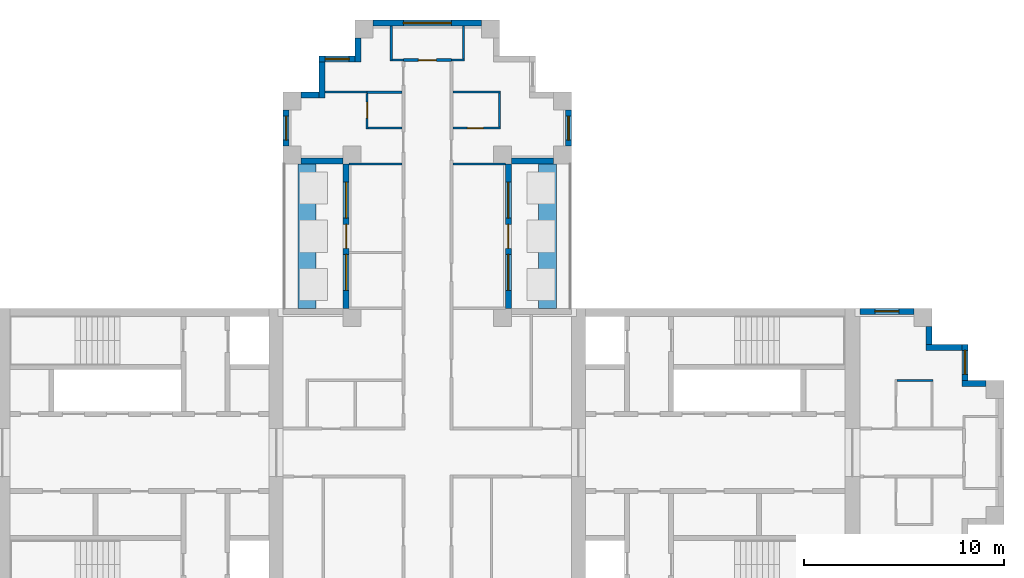
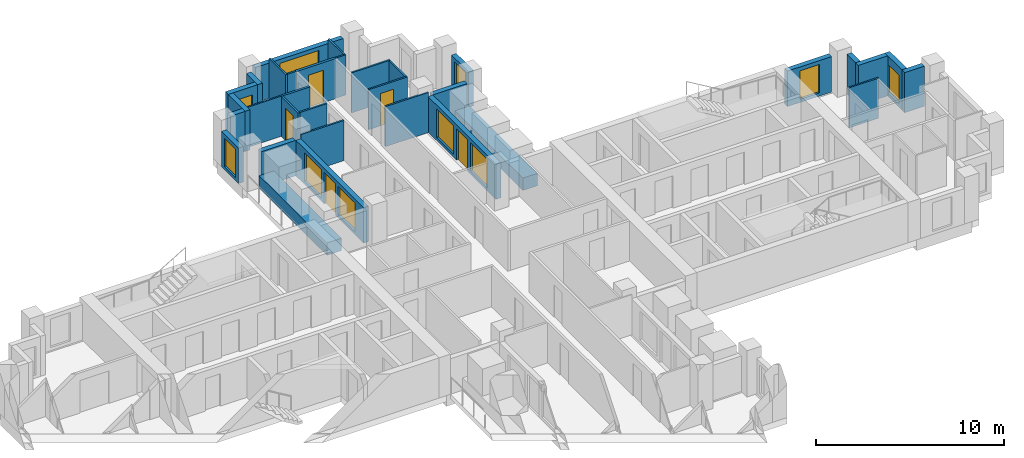
# One storey, part 7 of 10: 33 walls, 10 windows, 5 doors, 15 openings.
"""IFC4 building model written with IfcOpenShell, lengths in metres."""

from ifc_helpers import new_model, si_unit, direction, frame, frame_2d, origin, place, context, subcontext, project, spatial, rectangle, extrude, material, layer, layer_set, type_object, element, fill, save


model = new_model("IFC4")

# Units and contexts
model_context = context("Model", 3, precision=1e-05, world=origin(), true_north=direction((0.0, 1.0)))
body_context = subcontext(model_context, "Body", "Model", "MODEL_VIEW")
ifc_project = project(units=[si_unit("LENGTHUNIT", "METRE"), si_unit("AREAUNIT", "SQUARE_METRE"), si_unit("VOLUMEUNIT", "CUBIC_METRE"), si_unit("PLANEANGLEUNIT", "RADIAN"), si_unit("MASSUNIT", "GRAM", prefix="KILO")], contexts=[model_context])

# Site, building, storey
site_placement = place(None, origin())
site = spatial("IfcSite", under=ifc_project, at=site_placement, CompositionType="ELEMENT")
building_placement = place(site_placement, origin())
building = spatial("IfcBuilding", under=site, at=building_placement, Name="Fustian Cross Tower", CompositionType="ELEMENT")
storey_placement = place(building_placement, frame((0.0, 0.0, 228.89990234375)))
storey = spatial("IfcBuildingStorey", under=building, at=storey_placement, Name="L72", CompositionType="ELEMENT", Elevation=228.89990234375)

# Wall, opening, door
ifc_material_1 = material(Name="Plasterboard on steel stud", Category="steel")
ifc_layer_1 = layer(ifc_material_1, 0.14990234375)
ifc_layer_set_1 = layer_set([ifc_layer_1], Name="Plasterboard on steel stud")
wall_type_1 = type_object("IfcWallType", Name="COMPARTMENT WALL 150 EI 60", PredefinedType="PARTITIONING", material=ifc_layer_set_1)
wall_1_placement = place(storey_placement, frame((-1.199951171875, 19.60009765625, 0.0), z_axis=(0.0, 0.0, 1.0), x_axis=(1.0, 0.0, 0.0)))
wall_1 = element("IfcWall", 1, at=wall_1_placement, inside=storey, type_object=wall_type_1, Name="Partition 38", PredefinedType="PARTITIONING", context=body_context, shape_type="SweptSolid", body=[
    extrude(rectangle(XDim=2.39990234375, YDim=0.14990234375, at=frame_2d((1.199951171875, 0.0))), origin(), (0.0, 0.0, 1.0), 2.60009765625),
])
opening_1_placement = place(wall_1_placement, frame((0.75, 0.0, 0.0)))
opening_1 = element("IfcOpeningElement", 2, at=opening_1_placement, cuts=wall_1, Name="Opening D32015", PredefinedType="OPENING", context=body_context, shape_type="SweptSolid", body=[
    extrude(rectangle(XDim=0.89990234375, YDim=2.10009765625, at=frame_2d((0.449951171875, 1.050048828125))), frame((0.0, 0.0849609375, 0.0), z_axis=(0.0, -1.0, 0.0), x_axis=(1.0, 0.0, 0.0)), (0.0, 0.0, 1.0), 0.169921875),
])
ifc_material_2 = material(Name="Timber fire door set", Category="wood")
door_type_1 = type_object("IfcDoorType", Name="FIRE SWING DOOR 900 FD30S", OperationType="SINGLE_SWING_LEFT", PredefinedType="DOOR", material=ifc_material_2)
door_1_placement = place(opening_1_placement, origin())
door_1 = element("IfcDoor", 3, at=door_1_placement, inside=storey, type_object=door_type_1, Name="Door D32015", OperationType="SINGLE_SWING_LEFT", OverallHeight=2.10009765625, OverallWidth=0.89990234375, PredefinedType="DOOR", context=body_context, shape_type="SweptSolid", body=[
    extrude(rectangle(XDim=0.89990234375, YDim=2.10009765625, at=frame_2d((0.449951171875, 1.050048828125))), frame((0.0, 0.02490234375, 0.0), z_axis=(0.0, -1.0, 0.0), x_axis=(1.0, 0.0, 0.0)), (0.0, 0.0, 1.0), 0.050048828125),
])
fill(opening_1, door_1)

# Walls
ifc_material_3 = material(Name="Plasterboard on steel stud", Category="steel")
ifc_layer_2 = layer(ifc_material_3, 0.10009765625)
ifc_layer_set_2 = layer_set([ifc_layer_2], Name="Plasterboard on steel stud")
wall_type_2 = type_object("IfcWallType", Name="PARTITION 100 STUD", PredefinedType="PARTITIONING", material=ifc_layer_set_2)
wall_2_placement = place(storey_placement, frame((-5.10009765625, 18.0, 0.0), z_axis=(0.0, 0.0, 1.0), x_axis=(1.0, 0.0, 0.0)))
element("IfcWall", 4, at=wall_2_placement, inside=storey, type_object=wall_type_2, Name="Partition 18", PredefinedType="PARTITIONING", context=body_context, shape_type="SweptSolid", body=[
    extrude(rectangle(XDim=2.10009765625, YDim=0.10009765625, at=frame_2d((1.050048828125, 0.0))), origin(), (0.0, 0.0, 1.0), 2.60009765625),
])
wall_3_placement = place(storey_placement, frame((-3.89990234375, 14.39990234375, 0.0), z_axis=(0.0, 0.0, 1.0), x_axis=(1.0, 0.0, 0.0)))
element("IfcWall", 5, at=wall_3_placement, inside=storey, type_object=wall_type_2, Name="Partition 23", PredefinedType="PARTITIONING", context=body_context, shape_type="SweptSolid", body=[
    extrude(rectangle(XDim=2.625, YDim=0.10009765625, at=frame_2d((1.3125, 0.0))), origin(), (0.0, 0.0, 1.0), 2.60009765625),
])

# Wall, opening, door
wall_4_placement = place(storey_placement, frame((-3.0, 16.14990234375, 0.0), z_axis=(0.0, 0.0, 1.0), x_axis=(0.0, 1.0, 0.0)))
wall_4 = element("IfcWall", 6, at=wall_4_placement, inside=storey, type_object=wall_type_2, Name="Partition 28", PredefinedType="PARTITIONING", context=body_context, shape_type="SweptSolid", body=[
    extrude(rectangle(XDim=1.78759765625, YDim=0.10009765625, at=frame_2d((0.893798828125, 0.0))), origin(), (0.0, 0.0, 1.0), 2.60009765625),
])
opening_2_placement = place(wall_4_placement, frame((0.550048828125, 0.0, 0.0)))
opening_2 = element("IfcOpeningElement", 7, at=opening_2_placement, cuts=wall_4, Name="Opening D32018", PredefinedType="OPENING", context=body_context, shape_type="SweptSolid", body=[
    extrude(rectangle(XDim=0.800048828125, YDim=2.10009765625, at=frame_2d((0.39990234375, 1.050048828125))), frame((0.0, 0.06005859375, 0.0), z_axis=(0.0, -1.0, 0.0), x_axis=(1.0, 0.0, 0.0)), (0.0, 0.0, 1.0), 0.1201171875),
])
ifc_material_4 = material(Name="Painted timber", Category="wood")
door_type_2 = type_object("IfcDoorType", Name="SWING DOOR 800", OperationType="SINGLE_SWING_LEFT", PredefinedType="DOOR", material=ifc_material_4)
door_2_placement = place(opening_2_placement, frame((0.800048828125, 0.0, 0.0), z_axis=(0.0, 0.0, 1.0), x_axis=(-1.0, 0.0, 0.0)))
door_2 = element("IfcDoor", 8, at=door_2_placement, inside=storey, type_object=door_type_2, Name="Door D32018", OperationType="SINGLE_SWING_LEFT", OverallHeight=2.10009765625, OverallWidth=0.800048828125, PredefinedType="DOOR", context=body_context, shape_type="SweptSolid", body=[
    extrude(rectangle(XDim=0.800048828125, YDim=2.10009765625, at=frame_2d((0.39990234375, 1.050048828125))), frame((0.0, 0.02490234375, 0.0), z_axis=(0.0, -1.0, 0.0), x_axis=(1.0, 0.0, 0.0)), (0.0, 0.0, 1.0), 0.050048828125),
])
fill(opening_2, door_2)

# Walls
wall_5_placement = place(storey_placement, frame((-2.949951171875, 16.199951171875, 0.0), z_axis=(0.0, 0.0, 1.0), x_axis=(1.0, 0.0, 0.0)))
element("IfcWall", 9, at=wall_5_placement, inside=storey, type_object=wall_type_2, Name="Partition 29", PredefinedType="PARTITIONING", context=body_context, shape_type="SweptSolid", body=[
    extrude(rectangle(XDim=1.675048828125, YDim=0.10009765625, at=frame_2d((0.83740234375, 0.0))), origin(), (0.0, 0.0, 1.0), 2.60009765625),
])
wall_6_placement = place(storey_placement, frame((-1.800048828125, 19.550048828125, 0.0), z_axis=(0.0, 0.0, 1.0), x_axis=(0.0, 1.0, 0.0)))
element("IfcWall", 10, at=wall_6_placement, inside=storey, type_object=wall_type_2, Name="Partition 33", PredefinedType="PARTITIONING", context=body_context, shape_type="SweptSolid", body=[
    extrude(rectangle(XDim=1.75, YDim=0.10009765625, at=frame_2d((0.875, 0.0))), origin(), (0.0, 0.0, 1.0), 2.60009765625),
])
wall_7_placement = place(storey_placement, frame((-1.75, 19.60009765625, 0.0), z_axis=(0.0, 0.0, 1.0), x_axis=(1.0, 0.0, 0.0)))
element("IfcWall", 11, at=wall_7_placement, inside=storey, type_object=wall_type_2, Name="Partition 34", PredefinedType="PARTITIONING", context=body_context, shape_type="SweptSolid", body=[
    extrude(rectangle(XDim=0.550048828125, YDim=0.10009765625, at=frame_2d((0.27490234375, 0.0))), origin(), (0.0, 0.0, 1.0), 2.60009765625),
])
wall_8_placement = place(storey_placement, frame((1.27490234375, 14.39990234375, 0.0), z_axis=(0.0, 0.0, 1.0), x_axis=(1.0, 0.0, 0.0)))
element("IfcWall", 12, at=wall_8_placement, inside=storey, type_object=wall_type_2, Name="Partition 49", PredefinedType="PARTITIONING", context=body_context, shape_type="SweptSolid", body=[
    extrude(rectangle(XDim=2.625, YDim=0.10009765625, at=frame_2d((1.3125, 0.0))), origin(), (0.0, 0.0, 1.0), 2.60009765625),
])

# Wall, opening, door
wall_9_placement = place(storey_placement, frame((1.27490234375, 16.199951171875, 0.0), z_axis=(0.0, 0.0, 1.0), x_axis=(1.0, 0.0, 0.0)))
wall_9 = element("IfcWall", 13, at=wall_9_placement, inside=storey, type_object=wall_type_2, Name="Partition 50", PredefinedType="PARTITIONING", context=body_context, shape_type="SweptSolid", body=[
    extrude(rectangle(XDim=2.375, YDim=0.10009765625, at=frame_2d((1.1875, 0.0))), origin(), (0.0, 0.0, 1.0), 2.60009765625),
])
opening_3_placement = place(wall_9_placement, frame((0.72509765625, 0.0, 0.0)))
opening_3 = element("IfcOpeningElement", 14, at=opening_3_placement, cuts=wall_9, Name="Opening D32022", PredefinedType="OPENING", context=body_context, shape_type="SweptSolid", body=[
    extrude(rectangle(XDim=0.800048828125, YDim=2.10009765625, at=frame_2d((0.39990234375, 1.050048828125))), frame((0.0, 0.06005859375, 0.0), z_axis=(0.0, -1.0, 0.0), x_axis=(1.0, 0.0, 0.0)), (0.0, 0.0, 1.0), 0.1201171875),
])
door_3_placement = place(opening_3_placement, origin())
door_3 = element("IfcDoor", 15, at=door_3_placement, inside=storey, type_object=door_type_2, Name="Door D32022", OperationType="SINGLE_SWING_LEFT", OverallHeight=2.10009765625, OverallWidth=0.800048828125, PredefinedType="DOOR", context=body_context, shape_type="SweptSolid", body=[
    extrude(rectangle(XDim=0.800048828125, YDim=2.10009765625, at=frame_2d((0.39990234375, 1.050048828125))), frame((0.0, 0.02490234375, 0.0), z_axis=(0.0, -1.0, 0.0), x_axis=(1.0, 0.0, 0.0)), (0.0, 0.0, 1.0), 0.050048828125),
])
fill(opening_3, door_3)

# Walls
wall_10_placement = place(storey_placement, frame((1.27490234375, 18.0, 0.0), z_axis=(0.0, 0.0, 1.0), x_axis=(1.0, 0.0, 0.0)))
element("IfcWall", 16, at=wall_10_placement, inside=storey, type_object=wall_type_2, Name="Partition 51", PredefinedType="PARTITIONING", context=body_context, shape_type="SweptSolid", body=[
    extrude(rectangle(XDim=2.375, YDim=0.10009765625, at=frame_2d((1.1875, 0.0))), origin(), (0.0, 0.0, 1.0), 2.60009765625),
])
wall_11_placement = place(storey_placement, frame((1.199951171875, 19.60009765625, 0.0), z_axis=(0.0, 0.0, 1.0), x_axis=(1.0, 0.0, 0.0)))
element("IfcWall", 17, at=wall_11_placement, inside=storey, type_object=wall_type_2, Name="Partition 52", PredefinedType="PARTITIONING", context=body_context, shape_type="SweptSolid", body=[
    extrude(rectangle(XDim=0.650146484375, YDim=0.10009765625, at=frame_2d((0.3251953125, 0.0))), origin(), (0.0, 0.0, 1.0), 2.60009765625),
])
wall_12_placement = place(storey_placement, frame((1.800048828125, 19.64990234375, 0.0), z_axis=(0.0, 0.0, 1.0), x_axis=(0.0, 1.0, 0.0)))
element("IfcWall", 18, at=wall_12_placement, inside=storey, type_object=wall_type_2, Name="Partition 54", PredefinedType="PARTITIONING", context=body_context, shape_type="SweptSolid", body=[
    extrude(rectangle(XDim=1.650146484375, YDim=0.10009765625, at=frame_2d((0.8251953125, 0.0))), origin(), (0.0, 0.0, 1.0), 2.60009765625),
])
wall_13_placement = place(storey_placement, frame((3.60009765625, 16.25, 0.0), z_axis=(0.0, 0.0, 1.0), x_axis=(0.0, 1.0, 0.0)))
element("IfcWall", 19, at=wall_13_placement, inside=storey, type_object=wall_type_2, Name="Partition 58", PredefinedType="PARTITIONING", context=body_context, shape_type="SweptSolid", body=[
    extrude(rectangle(XDim=1.699951171875, YDim=0.10009765625, at=frame_2d((0.85009765625, 0.0))), origin(), (0.0, 0.0, 1.0), 2.60009765625),
])
wall_14_placement = place(storey_placement, frame((23.449951171875, 3.60009765625, 0.0), z_axis=(0.0, 0.0, 1.0), x_axis=(1.0, 0.0, 0.0)))
element("IfcWall", 20, at=wall_14_placement, inside=storey, type_object=wall_type_2, Name="Partition 65", PredefinedType="PARTITIONING", context=body_context, shape_type="SweptSolid", body=[
    extrude(rectangle(XDim=1.800048828125, YDim=0.10009765625, at=frame_2d((0.89990234375, 0.0))), origin(), (0.0, 0.0, 1.0), 2.60009765625),
])
ifc_material_5 = material(Name="Concrete C40/50", Category="concrete")
ifc_layer_3 = layer(ifc_material_5, 0.89990234375)
ifc_layer_set_3 = layer_set([ifc_layer_3], Name="Concrete C40/50")
wall_type_3 = type_object("IfcWallType", Name="PK1 PLANTER 900", PredefinedType="PARAPET", material=ifc_layer_set_3)
for number, where, z_axis, x_axis, name in (
    (21, (6.0, 7.199951171875, 0.0), (0.0, 0.0, 1.0), (0.0, 1.0, 0.0), "PLANTER"),
    (22, (-6.0, 7.199951171875, 0.0), (0.0, 0.0, 1.0), (0.0, 1.0, 0.0), "PLANTER"),
):
    element("IfcWall", number, at=place(storey_placement, frame(where, z_axis=z_axis, x_axis=x_axis)), inside=storey, type_object=wall_type_3, Name=name, PredefinedType="PARAPET", context=body_context, shape_type="SweptSolid", body=[
        extrude(rectangle(XDim=7.199951171875, YDim=0.89990234375, at=frame_2d((3.60009765625, 0.0))), origin(), (0.0, 0.0, 1.0), 0.800048828125),
    ])
ifc_material_6 = material(Name="Plasterboard on steel stud", Category="steel")
ifc_layer_4 = layer(ifc_material_6, 0.125)
ifc_layer_set_4 = layer_set([ifc_layer_4], Name="Plasterboard on steel stud")
wall_type_4 = type_object("IfcWallType", Name="WET WALL 125 STUD", PredefinedType="PARTITIONING", material=ifc_layer_set_4)
wall_15_placement = place(storey_placement, frame((-3.0, 18.0, 0.0), z_axis=(0.0, 0.0, 1.0), x_axis=(1.0, 0.0, 0.0)))
element("IfcWall", 23, at=wall_15_placement, inside=storey, type_object=wall_type_4, Name="Partition 30", PredefinedType="PARTITIONING", context=body_context, shape_type="SweptSolid", body=[
    extrude(rectangle(XDim=1.72509765625, YDim=0.125, at=frame_2d((0.862548828125, 0.0))), origin(), (0.0, 0.0, 1.0), 2.60009765625),
])
ifc_material_7 = material(Name="Dark aluminium cladding on insulated backing wall", Category="aluminium")
ifc_layer_5 = layer(ifc_material_7, 0.300048828125)
ifc_layer_set_5 = layer_set([ifc_layer_5], Name="Dark aluminium cladding on insulated backing wall")
wall_type_5 = type_object("IfcWallType", Name="XW1 EXTERNAL WALL 300", PredefinedType="SOLIDWALL", material=ifc_layer_set_5)
wall_16_placement = place(storey_placement, frame((27.89990234375, 3.449951171875, 0.0), z_axis=(0.0, 0.0, 1.0), x_axis=(-1.0, 0.0, 0.0)))
element("IfcWall", 24, at=wall_16_placement, inside=storey, type_object=wall_type_5, Name="External wall", PredefinedType="SOLIDWALL", context=body_context, shape_type="SweptSolid", body=[
    extrude(rectangle(XDim=1.199951171875, YDim=0.300048828125, at=frame_2d((0.60009765625, 0.0))), origin(), (0.0, 0.0, 1.0), 2.60009765625),
])

# Wall, opening, window
wall_17_placement = place(storey_placement, frame((26.85009765625, 3.60009765625, 0.0), z_axis=(0.0, 0.0, 1.0), x_axis=(0.0, 1.0, 0.0)))
wall_17 = element("IfcWall", 25, at=wall_17_placement, inside=storey, type_object=wall_type_5, Name="External wall", PredefinedType="SOLIDWALL", context=body_context, shape_type="SweptSolid", body=[
    extrude(rectangle(XDim=1.7998046875, YDim=0.300048828125, at=frame_2d((0.89990234375, 0.0))), origin(), (0.0, 0.0, 1.0), 2.60009765625),
])
opening_4_placement = place(wall_17_placement, frame((0.300048828125, 0.0, 0.199951171875)))
opening_4 = element("IfcOpeningElement", 26, at=opening_4_placement, cuts=wall_17, Name="Opening WN3", PredefinedType="OPENING", context=body_context, shape_type="SweptSolid", body=[
    extrude(rectangle(XDim=1.199951171875, YDim=1.85009765625, at=frame_2d((0.60009765625, 0.925048828125))), frame((0.0, 0.159912109375, 0.0), z_axis=(0.0, -1.0, 0.0), x_axis=(1.0, 0.0, 0.0)), (0.0, 0.0, 1.0), 0.320068359375),
])
ifc_material_8 = material(Name="Dark anodised aluminium and double glazing", Category="aluminium")
window_type_1 = type_object("IfcWindowType", Name="WN3 WINDOW 1200X1850", PartitioningType="SINGLE_PANEL", PredefinedType="WINDOW", material=ifc_material_8)
window_1_placement = place(opening_4_placement, origin())
window_1 = element("IfcWindow", 27, at=window_1_placement, inside=storey, type_object=window_type_1, Name="Window", OverallHeight=1.85009765625, OverallWidth=1.199951171875, PartitioningType="SINGLE_PANEL", PredefinedType="WINDOW", context=body_context, shape_type="SweptSolid", body=[
    extrude(rectangle(XDim=1.199951171875, YDim=1.85009765625, at=frame_2d((0.60009765625, 0.925048828125))), frame((0.0, 0.030029296875, 0.0), z_axis=(0.0, -1.0, 0.0), x_axis=(1.0, 0.0, 0.0)), (0.0, 0.0, 1.0), 0.06005859375),
])
fill(opening_4, window_1)

# Walls
wall_18_placement = place(storey_placement, frame((26.699951171875, 5.25, 0.0), z_axis=(0.0, 0.0, 1.0), x_axis=(-1.0, 0.0, 0.0)))
element("IfcWall", 28, at=wall_18_placement, inside=storey, type_object=wall_type_5, Name="External wall", PredefinedType="SOLIDWALL", context=body_context, shape_type="SweptSolid", body=[
    extrude(rectangle(XDim=1.800048828125, YDim=0.300048828125, at=frame_2d((0.89990234375, 0.0))), origin(), (0.0, 0.0, 1.0), 2.60009765625),
])
wall_19_placement = place(storey_placement, frame((25.050048828125, 5.39990234375, 0.0), z_axis=(0.0, 0.0, 1.0), x_axis=(0.0, 1.0, 0.0)))
element("IfcWall", 29, at=wall_19_placement, inside=storey, type_object=wall_type_5, Name="External wall", PredefinedType="SOLIDWALL", context=body_context, shape_type="SweptSolid", body=[
    extrude(rectangle(XDim=0.900146484375, YDim=0.300048828125, at=frame_2d((0.4501953125, 0.0))), origin(), (0.0, 0.0, 1.0), 2.60009765625),
])

# Wall, opening, window
wall_20_placement = place(storey_placement, frame((24.300048828125, 7.050048828125, 0.0), z_axis=(0.0, 0.0, 1.0), x_axis=(-1.0, 0.0, 0.0)))
wall_20 = element("IfcWall", 30, at=wall_20_placement, inside=storey, type_object=wall_type_5, Name="External wall", PredefinedType="SOLIDWALL", context=body_context, shape_type="SweptSolid", body=[
    extrude(rectangle(XDim=2.699951171875, YDim=0.300048828125, at=frame_2d((1.35009765625, 0.0))), origin(), (0.0, 0.0, 1.0), 2.300048828125),
])
opening_5_placement = place(wall_20_placement, frame((0.75, 0.0, 0.199951171875)))
opening_5 = element("IfcOpeningElement", 31, at=opening_5_placement, cuts=wall_20, Name="Opening WN3", PredefinedType="OPENING", context=body_context, shape_type="SweptSolid", body=[
    extrude(rectangle(XDim=1.199951171875, YDim=1.85009765625, at=frame_2d((0.60009765625, 0.925048828125))), frame((0.0, 0.159912109375, 0.0), z_axis=(0.0, -1.0, 0.0), x_axis=(1.0, 0.0, 0.0)), (0.0, 0.0, 1.0), 0.320068359375),
])
window_2_placement = place(opening_5_placement, origin())
window_2 = element("IfcWindow", 32, at=window_2_placement, inside=storey, type_object=window_type_1, Name="Window", OverallHeight=1.85009765625, OverallWidth=1.199951171875, PartitioningType="SINGLE_PANEL", PredefinedType="WINDOW", context=body_context, shape_type="SweptSolid", body=[
    extrude(rectangle(XDim=1.199951171875, YDim=1.85009765625, at=frame_2d((0.60009765625, 0.925048828125))), frame((0.0, 0.030029296875, 0.0), z_axis=(0.0, -1.0, 0.0), x_axis=(1.0, 0.0, 0.0)), (0.0, 0.0, 1.0), 0.06005859375),
])
fill(opening_5, window_2)

# Wall, openings, door, windows
wall_21_placement = place(storey_placement, frame((4.050048828125, 7.199951171875, 0.0), z_axis=(0.0, 0.0, 1.0), x_axis=(0.0, 1.0, 0.0)))
wall_21 = element("IfcWall", 33, at=wall_21_placement, inside=storey, type_object=wall_type_5, Name="External wall", PredefinedType="SOLIDWALL", context=body_context, shape_type="SweptSolid", body=[
    extrude(rectangle(XDim=7.199951171875, YDim=0.300048828125, at=frame_2d((3.60009765625, 0.0))), origin(), (0.0, 0.0, 1.0), 2.300048828125),
])
opening_6_placement = place(wall_21_placement, frame((3.0, 0.0, 0.0)))
opening_6 = element("IfcOpeningElement", 34, at=opening_6_placement, cuts=wall_21, Name="Opening XD1", PredefinedType="OPENING", context=body_context, shape_type="SweptSolid", body=[
    extrude(rectangle(XDim=1.199951171875, YDim=2.050048828125, at=frame_2d((0.60009765625, 1.02490234375))), frame((0.0, 0.159912109375, 0.0), z_axis=(0.0, -1.0, 0.0), x_axis=(1.0, 0.0, 0.0)), (0.0, 0.0, 1.0), 0.320068359375),
])
opening_7_placement = place(wall_21_placement, frame((0.89990234375, 0.0, 0.199951171875)))
opening_7 = element("IfcOpeningElement", 35, at=opening_7_placement, cuts=wall_21, Name="Opening WN2", PredefinedType="OPENING", context=body_context, shape_type="SweptSolid", body=[
    extrude(rectangle(XDim=1.800048828125, YDim=1.85009765625, at=frame_2d((0.89990234375, 0.925048828125))), frame((0.0, 0.159912109375, 0.0), z_axis=(0.0, -1.0, 0.0), x_axis=(1.0, 0.0, 0.0)), (0.0, 0.0, 1.0), 0.320068359375),
])
opening_8_placement = place(wall_21_placement, frame((4.5, 0.0, 0.199951171875)))
opening_8 = element("IfcOpeningElement", 36, at=opening_8_placement, cuts=wall_21, Name="Opening WN2", PredefinedType="OPENING", context=body_context, shape_type="SweptSolid", body=[
    extrude(rectangle(XDim=1.800048828125, YDim=1.85009765625, at=frame_2d((0.89990234375, 0.925048828125))), frame((0.0, 0.159912109375, 0.0), z_axis=(0.0, -1.0, 0.0), x_axis=(1.0, 0.0, 0.0)), (0.0, 0.0, 1.0), 0.320068359375),
])
ifc_material_9 = material(Name="Dark anodised aluminium and double glazing", Category="aluminium")
door_type_3 = type_object("IfcDoorType", Name="ED1 BALCONY DOOR 1200X2050", OperationType="SINGLE_SWING_LEFT", PredefinedType="DOOR", material=ifc_material_9)
door_4_placement = place(opening_6_placement, origin())
door_4 = element("IfcDoor", 37, at=door_4_placement, inside=storey, type_object=door_type_3, Name="Balcony door", OperationType="SINGLE_SWING_LEFT", OverallHeight=2.050048828125, OverallWidth=1.199951171875, PredefinedType="DOOR", context=body_context, shape_type="SweptSolid", body=[
    extrude(rectangle(XDim=1.199951171875, YDim=2.050048828125, at=frame_2d((0.60009765625, 1.02490234375))), frame((0.0, 0.02490234375, 0.0), z_axis=(0.0, -1.0, 0.0), x_axis=(1.0, 0.0, 0.0)), (0.0, 0.0, 1.0), 0.050048828125),
])
fill(opening_6, door_4)
ifc_material_10 = material(Name="Dark anodised aluminium and double glazing", Category="aluminium")
window_type_2 = type_object("IfcWindowType", Name="WN2 WINDOW 1800X1850", PartitioningType="SINGLE_PANEL", PredefinedType="WINDOW", material=ifc_material_10)
window_3_placement = place(opening_7_placement, origin())
window_3 = element("IfcWindow", 38, at=window_3_placement, inside=storey, type_object=window_type_2, Name="Window", OverallHeight=1.85009765625, OverallWidth=1.800048828125, PartitioningType="SINGLE_PANEL", PredefinedType="WINDOW", context=body_context, shape_type="SweptSolid", body=[
    extrude(rectangle(XDim=1.800048828125, YDim=1.85009765625, at=frame_2d((0.89990234375, 0.925048828125))), frame((0.0, 0.030029296875, 0.0), z_axis=(0.0, -1.0, 0.0), x_axis=(1.0, 0.0, 0.0)), (0.0, 0.0, 1.0), 0.06005859375),
])
fill(opening_7, window_3)
window_4_placement = place(opening_8_placement, origin())
window_4 = element("IfcWindow", 39, at=window_4_placement, inside=storey, type_object=window_type_2, Name="Window", OverallHeight=1.85009765625, OverallWidth=1.800048828125, PartitioningType="SINGLE_PANEL", PredefinedType="WINDOW", context=body_context, shape_type="SweptSolid", body=[
    extrude(rectangle(XDim=1.800048828125, YDim=1.85009765625, at=frame_2d((0.89990234375, 0.925048828125))), frame((0.0, 0.030029296875, 0.0), z_axis=(0.0, -1.0, 0.0), x_axis=(1.0, 0.0, 0.0)), (0.0, 0.0, 1.0), 0.06005859375),
])
fill(opening_8, window_4)

# Wall
wall_22_placement = place(storey_placement, frame((4.199951171875, 14.550048828125, 0.0), z_axis=(0.0, 0.0, 1.0), x_axis=(1.0, 0.0, 0.0)))
element("IfcWall", 40, at=wall_22_placement, inside=storey, type_object=wall_type_5, Name="External wall", PredefinedType="SOLIDWALL", context=body_context, shape_type="SweptSolid", body=[
    extrude(rectangle(XDim=2.10009765625, YDim=0.300048828125, at=frame_2d((1.050048828125, 0.0))), origin(), (0.0, 0.0, 1.0), 2.300048828125),
])

# Wall, opening, window
wall_23_placement = place(storey_placement, frame((7.050048828125, 15.300048828125, 0.0), z_axis=(0.0, 0.0, 1.0), x_axis=(0.0, 1.0, 0.0)))
wall_23 = element("IfcWall", 41, at=wall_23_placement, inside=storey, type_object=wall_type_5, Name="External wall", PredefinedType="SOLIDWALL", context=body_context, shape_type="SweptSolid", body=[
    extrude(rectangle(XDim=1.800048828125, YDim=0.300048828125, at=frame_2d((0.89990234375, 0.0))), origin(), (0.0, 0.0, 1.0), 2.300048828125),
])
opening_9_placement = place(wall_23_placement, frame((0.300048828125, 0.0, 0.199951171875)))
opening_9 = element("IfcOpeningElement", 42, at=opening_9_placement, cuts=wall_23, Name="Opening WN3", PredefinedType="OPENING", context=body_context, shape_type="SweptSolid", body=[
    extrude(rectangle(XDim=1.199951171875, YDim=1.85009765625, at=frame_2d((0.60009765625, 0.925048828125))), frame((0.0, 0.159912109375, 0.0), z_axis=(0.0, -1.0, 0.0), x_axis=(1.0, 0.0, 0.0)), (0.0, 0.0, 1.0), 0.320068359375),
])
window_5_placement = place(opening_9_placement, origin())
window_5 = element("IfcWindow", 43, at=window_5_placement, inside=storey, type_object=window_type_1, Name="Window", OverallHeight=1.85009765625, OverallWidth=1.199951171875, PartitioningType="SINGLE_PANEL", PredefinedType="WINDOW", context=body_context, shape_type="SweptSolid", body=[
    extrude(rectangle(XDim=1.199951171875, YDim=1.85009765625, at=frame_2d((0.60009765625, 0.925048828125))), frame((0.0, 0.030029296875, 0.0), z_axis=(0.0, -1.0, 0.0), x_axis=(1.0, 0.0, 0.0)), (0.0, 0.0, 1.0), 0.06005859375),
])
fill(opening_9, window_5)

wall_24_placement = place(storey_placement, frame((2.699951171875, 21.449951171875, 0.0), z_axis=(0.0, 0.0, 1.0), x_axis=(-1.0, 0.0, 0.0)))
wall_24 = element("IfcWall", 44, at=wall_24_placement, inside=storey, type_object=wall_type_5, Name="External wall", PredefinedType="SOLIDWALL", context=body_context, shape_type="SweptSolid", body=[
    extrude(rectangle(XDim=5.39990234375, YDim=0.300048828125, at=frame_2d((2.699951171875, 0.0))), origin(), (0.0, 0.0, 1.0), 2.300048828125),
])
opening_10_placement = place(wall_24_placement, frame((1.5, 0.0, 0.199951171875)))
opening_10 = element("IfcOpeningElement", 45, at=opening_10_placement, cuts=wall_24, Name="Opening WN1", PredefinedType="OPENING", context=body_context, shape_type="SweptSolid", body=[
    extrude(rectangle(XDim=2.39990234375, YDim=1.85009765625, at=frame_2d((1.199951171875, 0.925048828125))), frame((0.0, 0.159912109375, 0.0), z_axis=(0.0, -1.0, 0.0), x_axis=(1.0, 0.0, 0.0)), (0.0, 0.0, 1.0), 0.320068359375),
])
ifc_material_11 = material(Name="Dark anodised aluminium and double glazing", Category="aluminium")
window_type_3 = type_object("IfcWindowType", Name="WN1 WINDOW 2400X1850", PartitioningType="SINGLE_PANEL", PredefinedType="WINDOW", material=ifc_material_11)
window_6_placement = place(opening_10_placement, origin())
window_6 = element("IfcWindow", 46, at=window_6_placement, inside=storey, type_object=window_type_3, Name="Window", OverallHeight=1.85009765625, OverallWidth=2.39990234375, PartitioningType="SINGLE_PANEL", PredefinedType="WINDOW", context=body_context, shape_type="SweptSolid", body=[
    extrude(rectangle(XDim=2.39990234375, YDim=1.85009765625, at=frame_2d((1.199951171875, 0.925048828125))), frame((0.0, 0.030029296875, 0.0), z_axis=(0.0, -1.0, 0.0), x_axis=(1.0, 0.0, 0.0)), (0.0, 0.0, 1.0), 0.06005859375),
])
fill(opening_10, window_6)

# Wall
wall_25_placement = place(storey_placement, frame((-3.449951171875, 20.699951171875, 0.0), z_axis=(0.0, 0.0, 1.0), x_axis=(0.0, -1.0, 0.0)))
element("IfcWall", 47, at=wall_25_placement, inside=storey, type_object=wall_type_5, Name="External wall", PredefinedType="SOLIDWALL", context=body_context, shape_type="SweptSolid", body=[
    extrude(rectangle(XDim=1.199951171875, YDim=0.300048828125, at=frame_2d((0.60009765625, 0.0))), origin(), (0.0, 0.0, 1.0), 2.60009765625),
])

# Wall, opening, window
wall_26_placement = place(storey_placement, frame((-3.60009765625, 19.64990234375, 0.0), z_axis=(0.0, 0.0, 1.0), x_axis=(-1.0, 0.0, 0.0)))
wall_26 = element("IfcWall", 48, at=wall_26_placement, inside=storey, type_object=wall_type_5, Name="External wall", PredefinedType="SOLIDWALL", context=body_context, shape_type="SweptSolid", body=[
    extrude(rectangle(XDim=1.7998046875, YDim=0.300048828125, at=frame_2d((0.89990234375, 0.0))), origin(), (0.0, 0.0, 1.0), 2.60009765625),
])
opening_11_placement = place(wall_26_placement, frame((0.300048828125, 0.0, 0.199951171875)))
opening_11 = element("IfcOpeningElement", 49, at=opening_11_placement, cuts=wall_26, Name="Opening WN3", PredefinedType="OPENING", context=body_context, shape_type="SweptSolid", body=[
    extrude(rectangle(XDim=1.199951171875, YDim=1.85009765625, at=frame_2d((0.60009765625, 0.925048828125))), frame((0.0, 0.159912109375, 0.0), z_axis=(0.0, -1.0, 0.0), x_axis=(1.0, 0.0, 0.0)), (0.0, 0.0, 1.0), 0.320068359375),
])
window_7_placement = place(opening_11_placement, origin())
window_7 = element("IfcWindow", 50, at=window_7_placement, inside=storey, type_object=window_type_1, Name="Window", OverallHeight=1.85009765625, OverallWidth=1.199951171875, PartitioningType="SINGLE_PANEL", PredefinedType="WINDOW", context=body_context, shape_type="SweptSolid", body=[
    extrude(rectangle(XDim=1.199951171875, YDim=1.85009765625, at=frame_2d((0.60009765625, 0.925048828125))), frame((0.0, 0.030029296875, 0.0), z_axis=(0.0, -1.0, 0.0), x_axis=(1.0, 0.0, 0.0)), (0.0, 0.0, 1.0), 0.06005859375),
])
fill(opening_11, window_7)

# Walls
wall_27_placement = place(storey_placement, frame((-5.25, 19.5, 0.0), z_axis=(0.0, 0.0, 1.0), x_axis=(0.0, -1.0, 0.0)))
element("IfcWall", 51, at=wall_27_placement, inside=storey, type_object=wall_type_5, Name="External wall", PredefinedType="SOLIDWALL", context=body_context, shape_type="SweptSolid", body=[
    extrude(rectangle(XDim=1.800048828125, YDim=0.300048828125, at=frame_2d((0.89990234375, 0.0))), origin(), (0.0, 0.0, 1.0), 2.60009765625),
])
wall_28_placement = place(storey_placement, frame((-5.39990234375, 17.85009765625, 0.0), z_axis=(0.0, 0.0, 1.0), x_axis=(-1.0, 0.0, 0.0)))
element("IfcWall", 52, at=wall_28_placement, inside=storey, type_object=wall_type_5, Name="External wall", PredefinedType="SOLIDWALL", context=body_context, shape_type="SweptSolid", body=[
    extrude(rectangle(XDim=0.900146484375, YDim=0.300048828125, at=frame_2d((0.4501953125, 0.0))), origin(), (0.0, 0.0, 1.0), 2.60009765625),
])

# Wall, opening, window
wall_29_placement = place(storey_placement, frame((-7.050048828125, 17.10009765625, 0.0), z_axis=(0.0, 0.0, 1.0), x_axis=(0.0, -1.0, 0.0)))
wall_29 = element("IfcWall", 53, at=wall_29_placement, inside=storey, type_object=wall_type_5, Name="External wall", PredefinedType="SOLIDWALL", context=body_context, shape_type="SweptSolid", body=[
    extrude(rectangle(XDim=1.800048828125, YDim=0.300048828125, at=frame_2d((0.89990234375, 0.0))), origin(), (0.0, 0.0, 1.0), 2.300048828125),
])
opening_12_placement = place(wall_29_placement, frame((0.300048828125, 0.0, 0.199951171875)))
opening_12 = element("IfcOpeningElement", 54, at=opening_12_placement, cuts=wall_29, Name="Opening WN3", PredefinedType="OPENING", context=body_context, shape_type="SweptSolid", body=[
    extrude(rectangle(XDim=1.199951171875, YDim=1.85009765625, at=frame_2d((0.60009765625, 0.925048828125))), frame((0.0, 0.159912109375, 0.0), z_axis=(0.0, -1.0, 0.0), x_axis=(1.0, 0.0, 0.0)), (0.0, 0.0, 1.0), 0.320068359375),
])
window_8_placement = place(opening_12_placement, origin())
window_8 = element("IfcWindow", 55, at=window_8_placement, inside=storey, type_object=window_type_1, Name="Window", OverallHeight=1.85009765625, OverallWidth=1.199951171875, PartitioningType="SINGLE_PANEL", PredefinedType="WINDOW", context=body_context, shape_type="SweptSolid", body=[
    extrude(rectangle(XDim=1.199951171875, YDim=1.85009765625, at=frame_2d((0.60009765625, 0.925048828125))), frame((0.0, 0.030029296875, 0.0), z_axis=(0.0, -1.0, 0.0), x_axis=(1.0, 0.0, 0.0)), (0.0, 0.0, 1.0), 0.06005859375),
])
fill(opening_12, window_8)

# Wall
wall_30_placement = place(storey_placement, frame((-6.300048828125, 14.550048828125, 0.0), z_axis=(0.0, 0.0, 1.0), x_axis=(1.0, 0.0, 0.0)))
element("IfcWall", 56, at=wall_30_placement, inside=storey, type_object=wall_type_5, Name="External wall", PredefinedType="SOLIDWALL", context=body_context, shape_type="SweptSolid", body=[
    extrude(rectangle(XDim=2.10009765625, YDim=0.300048828125, at=frame_2d((1.050048828125, 0.0))), origin(), (0.0, 0.0, 1.0), 2.300048828125),
])

# Wall, openings, door, windows
wall_31_placement = place(storey_placement, frame((-4.050048828125, 14.39990234375, 0.0), z_axis=(0.0, 0.0, 1.0), x_axis=(0.0, -1.0, 0.0)))
wall_31 = element("IfcWall", 57, at=wall_31_placement, inside=storey, type_object=wall_type_5, Name="External wall", PredefinedType="SOLIDWALL", context=body_context, shape_type="SweptSolid", body=[
    extrude(rectangle(XDim=7.199951171875, YDim=0.300048828125, at=frame_2d((3.60009765625, 0.0))), origin(), (0.0, 0.0, 1.0), 2.300048828125),
])
opening_13_placement = place(wall_31_placement, frame((3.0, 0.0, 0.0)))
opening_13 = element("IfcOpeningElement", 58, at=opening_13_placement, cuts=wall_31, Name="Opening XD2", PredefinedType="OPENING", context=body_context, shape_type="SweptSolid", body=[
    extrude(rectangle(XDim=1.199951171875, YDim=2.050048828125, at=frame_2d((0.60009765625, 1.02490234375))), frame((0.0, 0.159912109375, 0.0), z_axis=(0.0, -1.0, 0.0), x_axis=(1.0, 0.0, 0.0)), (0.0, 0.0, 1.0), 0.320068359375),
])
opening_14_placement = place(wall_31_placement, frame((0.89990234375, 0.0, 0.199951171875)))
opening_14 = element("IfcOpeningElement", 59, at=opening_14_placement, cuts=wall_31, Name="Opening WN2", PredefinedType="OPENING", context=body_context, shape_type="SweptSolid", body=[
    extrude(rectangle(XDim=1.800048828125, YDim=1.85009765625, at=frame_2d((0.89990234375, 0.925048828125))), frame((0.0, 0.159912109375, 0.0), z_axis=(0.0, -1.0, 0.0), x_axis=(1.0, 0.0, 0.0)), (0.0, 0.0, 1.0), 0.320068359375),
])
opening_15_placement = place(wall_31_placement, frame((4.5, 0.0, 0.199951171875)))
opening_15 = element("IfcOpeningElement", 60, at=opening_15_placement, cuts=wall_31, Name="Opening WN2", PredefinedType="OPENING", context=body_context, shape_type="SweptSolid", body=[
    extrude(rectangle(XDim=1.800048828125, YDim=1.85009765625, at=frame_2d((0.89990234375, 0.925048828125))), frame((0.0, 0.159912109375, 0.0), z_axis=(0.0, -1.0, 0.0), x_axis=(1.0, 0.0, 0.0)), (0.0, 0.0, 1.0), 0.320068359375),
])
door_5_placement = place(opening_13_placement, origin())
door_5 = element("IfcDoor", 61, at=door_5_placement, inside=storey, type_object=door_type_3, Name="Balcony door", OperationType="SINGLE_SWING_LEFT", OverallHeight=2.050048828125, OverallWidth=1.199951171875, PredefinedType="DOOR", context=body_context, shape_type="SweptSolid", body=[
    extrude(rectangle(XDim=1.199951171875, YDim=2.050048828125, at=frame_2d((0.60009765625, 1.02490234375))), frame((0.0, 0.02490234375, 0.0), z_axis=(0.0, -1.0, 0.0), x_axis=(1.0, 0.0, 0.0)), (0.0, 0.0, 1.0), 0.050048828125),
])
fill(opening_13, door_5)
window_9_placement = place(opening_14_placement, origin())
window_9 = element("IfcWindow", 62, at=window_9_placement, inside=storey, type_object=window_type_2, Name="Window", OverallHeight=1.85009765625, OverallWidth=1.800048828125, PartitioningType="SINGLE_PANEL", PredefinedType="WINDOW", context=body_context, shape_type="SweptSolid", body=[
    extrude(rectangle(XDim=1.800048828125, YDim=1.85009765625, at=frame_2d((0.89990234375, 0.925048828125))), frame((0.0, 0.030029296875, 0.0), z_axis=(0.0, -1.0, 0.0), x_axis=(1.0, 0.0, 0.0)), (0.0, 0.0, 1.0), 0.06005859375),
])
fill(opening_14, window_9)
window_10_placement = place(opening_15_placement, origin())
window_10 = element("IfcWindow", 63, at=window_10_placement, inside=storey, type_object=window_type_2, Name="Window", OverallHeight=1.85009765625, OverallWidth=1.800048828125, PartitioningType="SINGLE_PANEL", PredefinedType="WINDOW", context=body_context, shape_type="SweptSolid", body=[
    extrude(rectangle(XDim=1.800048828125, YDim=1.85009765625, at=frame_2d((0.89990234375, 0.925048828125))), frame((0.0, 0.030029296875, 0.0), z_axis=(0.0, -1.0, 0.0), x_axis=(1.0, 0.0, 0.0)), (0.0, 0.0, 1.0), 0.06005859375),
])
fill(opening_15, window_10)

save(model, "model.ifc")
